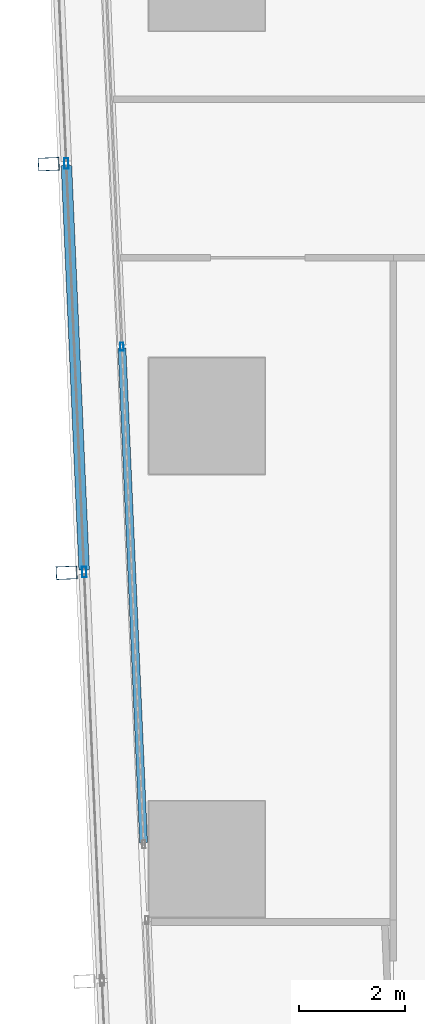
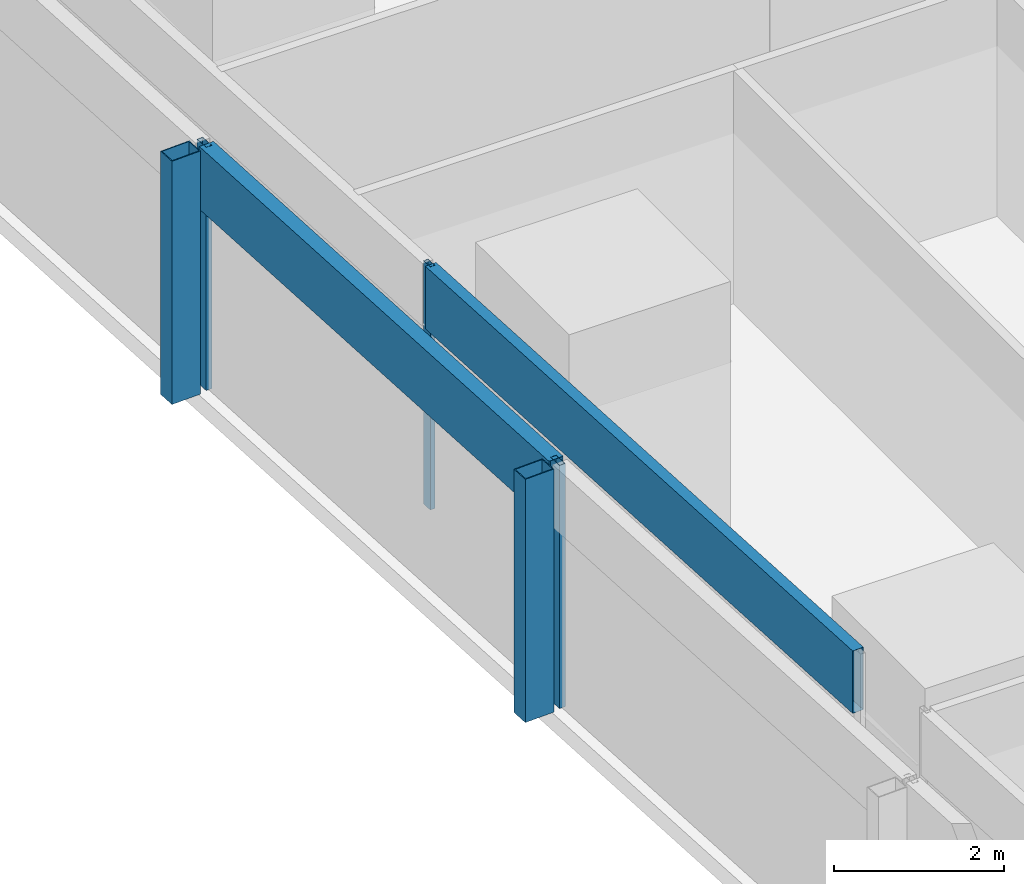
# One storey, part 7 of 45: 7 members, 2 elements without a shape of their own.
"""IFC4 building model written with IfcOpenShell, lengths in metres."""

from ifc_helpers import new_model, si_unit, direction, frame, origin, origin_2d, place, context, subcontext, project, spatial, hollow_rectangle, extrude, material, material_profile, profile_set, type_object, element, aggregate, save


model = new_model("IFC4")

# Units and contexts
model_context = context("Model", 3, precision=1e-05, world=origin(), true_north=direction((0.0, 1.0)))
body_context = subcontext(model_context, "Body", "Model", "MODEL_VIEW")
ifc_project = project(units=[si_unit("LENGTHUNIT", "METRE"), si_unit("AREAUNIT", "SQUARE_METRE"), si_unit("VOLUMEUNIT", "CUBIC_METRE"), si_unit("PLANEANGLEUNIT", "RADIAN"), si_unit("MASSUNIT", "GRAM", prefix="KILO")], contexts=[model_context])

# Site, building, storey
site_placement = place(None, origin())
site = spatial("IfcSite", under=ifc_project, at=site_placement, CompositionType="ELEMENT")
building_placement = place(site_placement, origin())
building = spatial("IfcBuilding", under=site, at=building_placement, Name="Rekha Terrace Tower", CompositionType="ELEMENT")
storey_placement = place(building_placement, frame((0.0, 0.0, 36.64990234375)))
storey = spatial("IfcBuildingStorey", under=building, at=storey_placement, Name="L08", CompositionType="ELEMENT", Elevation=36.64990234375)

# Curtain wall, members
ifc_material_1 = material(Name="Aluminium framing", Category="aluminium")
curtain_wall_type_1 = type_object("IfcCurtainWallType", Name="CW2 double skin outer glazing", PredefinedType="USERDEFINED", material=ifc_material_1)
curtain_wall_1_placement = place(storey_placement, origin())
curtain_wall_1 = element("IfcCurtainWall", 1, at=curtain_wall_1_placement, inside=storey, type_object=curtain_wall_type_1, Name="CW2 double skin outer glazing", ObjectType="DOUBLE SKIN OUTER GLAZING", PredefinedType="USERDEFINED")
ifc_material_2 = material(Name="Steel S355 with fluorocarbon finish", Category="steel")
ifc_material_profile_1 = material_profile(ifc_material_2, hollow_rectangle(XDim=0.25, YDim=0.39990234375, WallThickness=0.012451171875, at=origin_2d()), Name="RHS400x250x12.5")
ifc_profile_set_1 = profile_set([ifc_material_profile_1], Name="Steel S355 with fluorocarbon finish")
member_type_1 = type_object("IfcMemberType", Name="BL1 facade blade RHS 400 x 250", PredefinedType="USERDEFINED", material=ifc_profile_set_1)
member_1_placement = place(storey_placement, frame((5.40283203125, 29.97119140625, 0.0), z_axis=(0.0, 0.0, 1.0), x_axis=(0.04368215933, -0.999045478923, 0.0)))
member_1 = element("IfcMember", 2, at=member_1_placement, type_object=member_type_1, Name="Facade blade", ObjectType="FACADE BLADE", PredefinedType="USERDEFINED", context=body_context, shape_type="SweptSolid", body=[
    extrude(hollow_rectangle(XDim=0.25, YDim=0.39990234375, WallThickness=0.012451171875, at=origin_2d()), origin(), (0.0, 0.0, 1.0), 3.5),
])
member_2_placement = place(storey_placement, frame((5.74169921875, 22.226806640625, 0.0), z_axis=(0.0, 0.0, 1.0), x_axis=(0.04368215933, -0.999045478923, 0.0)))
member_2 = element("IfcMember", 3, at=member_2_placement, type_object=member_type_1, Name="Facade blade", ObjectType="FACADE BLADE", PredefinedType="USERDEFINED", context=body_context, shape_type="SweptSolid", body=[
    extrude(hollow_rectangle(XDim=0.25, YDim=0.39990234375, WallThickness=0.012451171875, at=origin_2d()), origin(), (0.0, 0.0, 1.0), 3.5),
])

curtain_wall_type_2 = type_object("IfcCurtainWallType", Name="CW1 double skin inner glazing", PredefinedType="USERDEFINED", material=ifc_material_1)
curtain_wall_2_placement = place(storey_placement, origin())
curtain_wall_2 = element("IfcCurtainWall", 4, at=curtain_wall_2_placement, inside=storey, type_object=curtain_wall_type_2, Name="CW1 double skin inner glazing", ObjectType="DOUBLE SKIN INNER GLAZING", PredefinedType="USERDEFINED")
ifc_material_3 = material(Name="Aluminium mullion section", Category="aluminium")
ifc_material_profile_2 = material_profile(ifc_material_3, hollow_rectangle(XDim=0.06494140625, YDim=0.14990234375, WallThickness=0.00390625, at=origin_2d()), Name="AL RHS 65x150")
ifc_profile_set_2 = profile_set([ifc_material_profile_2], Name="Aluminium mullion section")
member_type_2 = type_object("IfcMemberType", Name="CW1 mullion RHS 65 x 150", PredefinedType="MULLION", material=ifc_profile_set_2)
member_3_placement = place(storey_placement, frame((6.790283203125, 26.5126953125, 0.0), z_axis=(0.0, 0.0, 1.0), x_axis=(0.999045462133, 0.043682543337, 0.0)))
member_3 = element("IfcMember", 5, at=member_3_placement, type_object=member_type_2, Name="CW1 mullion 3", PredefinedType="MULLION", context=body_context, shape_type="SweptSolid", body=[
    extrude(hollow_rectangle(XDim=0.06494140625, YDim=0.14990234375, WallThickness=0.00390625, at=origin_2d()), origin(), (0.0, 0.0, 1.0), 3.5),
])
ifc_material_4 = material(Name="Insulated aluminium spandrel box", Category="aluminium")
ifc_material_profile_3 = material_profile(ifc_material_4, hollow_rectangle(XDim=0.14990234375, YDim=0.89990234375, WallThickness=0.0029296875, at=origin_2d()), Name="AL SPANDREL BOX 150x900")
ifc_profile_set_3 = profile_set([ifc_material_profile_3], Name="Insulated aluminium spandrel box")
member_type_3 = type_object("IfcMemberType", Name="CW1 spandrel transom 150 x 900", PredefinedType="USERDEFINED", material=ifc_profile_set_3)
member_4_placement = place(storey_placement, frame((6.791748046875, 26.480224609375, 3.050048828125), z_axis=(0.043688050697, -0.999045221312, 0.0), x_axis=(0.999045221312, 0.043688050697, 0.0)))
member_4 = element("IfcMember", 6, at=member_4_placement, type_object=member_type_3, Name="CW1 spandrel transom 3", ObjectType="TRANSOM", PredefinedType="USERDEFINED", context=body_context, shape_type="SweptSolid", body=[
    extrude(hollow_rectangle(XDim=0.14990234375, YDim=0.89990234375, WallThickness=0.0029296875, at=origin_2d()), origin(), (0.0, 0.0, 1.0), 9.377197265625),
])
aggregate(curtain_wall_2, [member_3, member_4])

# Member
ifc_material_profile_4 = material_profile(ifc_material_3, hollow_rectangle(XDim=0.080078125, YDim=0.199951171875, WallThickness=0.00390625, at=origin_2d()), Name="AL RHS 80x200")
ifc_profile_set_4 = profile_set([ifc_material_profile_4], Name="Aluminium mullion section")
member_type_4 = type_object("IfcMemberType", Name="CW2 mullion RHS 80 x 200", PredefinedType="MULLION", material=ifc_profile_set_4)
member_5_placement = place(storey_placement, frame((5.737548828125, 29.98583984375, 0.0), z_axis=(0.0, 0.0, 1.0), x_axis=(0.999045462131, 0.043682543372, 0.0)))
member_5 = element("IfcMember", 7, at=member_5_placement, type_object=member_type_4, Name="CW2 mullion 3", PredefinedType="MULLION", context=body_context, shape_type="SweptSolid", body=[
    extrude(hollow_rectangle(XDim=0.080078125, YDim=0.199951171875, WallThickness=0.00390625, at=origin_2d()), origin(), (0.0, 0.0, 1.0), 3.5),
])

member_6_placement = place(storey_placement, frame((6.076171875, 22.241455078125, 0.0), z_axis=(0.0, 0.0, 1.0), x_axis=(0.999045462131, 0.043682543372, 0.0)))
member_6 = element("IfcMember", 8, at=member_6_placement, type_object=member_type_4, Name="CW2 mullion 4", PredefinedType="MULLION", context=body_context, shape_type="SweptSolid", body=[
    extrude(hollow_rectangle(XDim=0.080078125, YDim=0.199951171875, WallThickness=0.00390625, at=origin_2d()), origin(), (0.0, 0.0, 1.0), 3.5),
])

ifc_material_profile_5 = material_profile(ifc_material_4, hollow_rectangle(XDim=0.199951171875, YDim=0.89990234375, WallThickness=0.0029296875, at=origin_2d()), Name="AL SPANDREL BOX 200x900")
ifc_profile_set_5 = profile_set([ifc_material_profile_5], Name="Insulated aluminium spandrel box")
member_type_5 = type_object("IfcMemberType", Name="CW2 spandrel transom 200 x 900", PredefinedType="USERDEFINED", material=ifc_profile_set_5)
member_7_placement = place(storey_placement, frame((5.7392578125, 29.94580078125, 3.050048828125), z_axis=(0.04369270591, -0.99904501773, 0.0), x_axis=(0.99904501773, 0.04369270591, 0.0)))
member_7 = element("IfcMember", 9, at=member_7_placement, type_object=member_type_5, Name="CW2 spandrel transom 3", ObjectType="TRANSOM", PredefinedType="USERDEFINED", context=body_context, shape_type="SweptSolid", body=[
    extrude(hollow_rectangle(XDim=0.199951171875, YDim=0.89990234375, WallThickness=0.0029296875, at=origin_2d()), origin(), (0.0, 0.0, 1.0), 7.671875),
])

aggregate(curtain_wall_1, [member_5, member_6, member_7, member_1, member_2])

save(model, "model.ifc")
